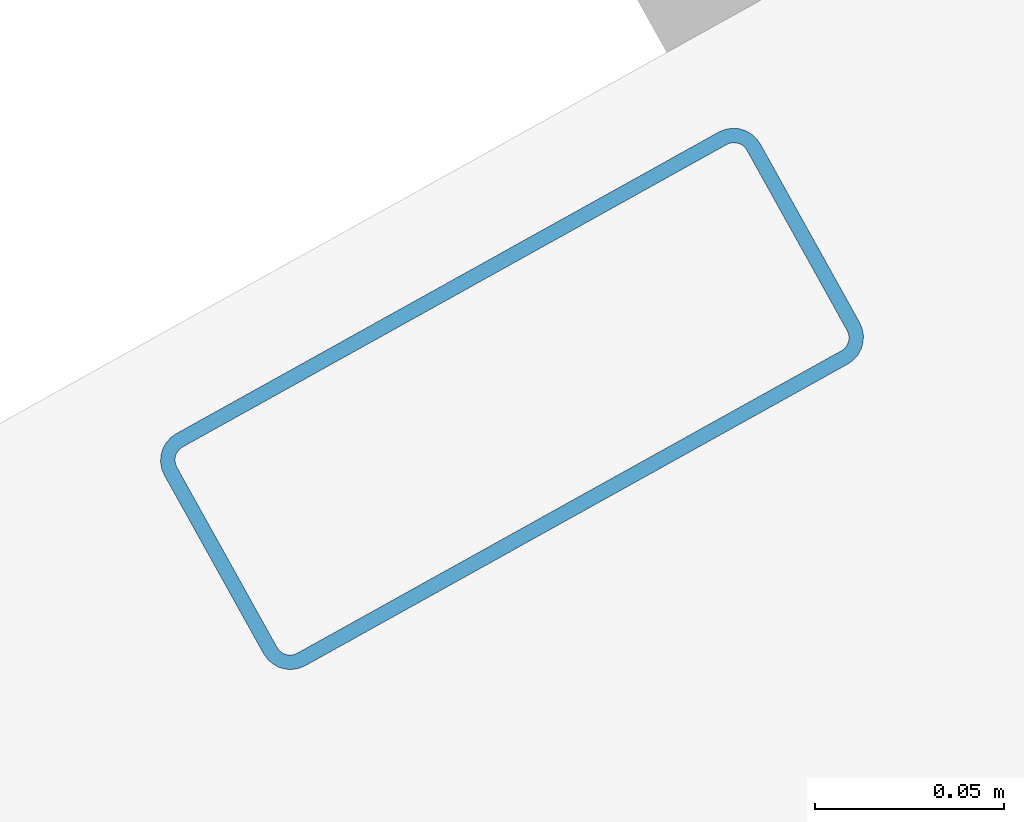
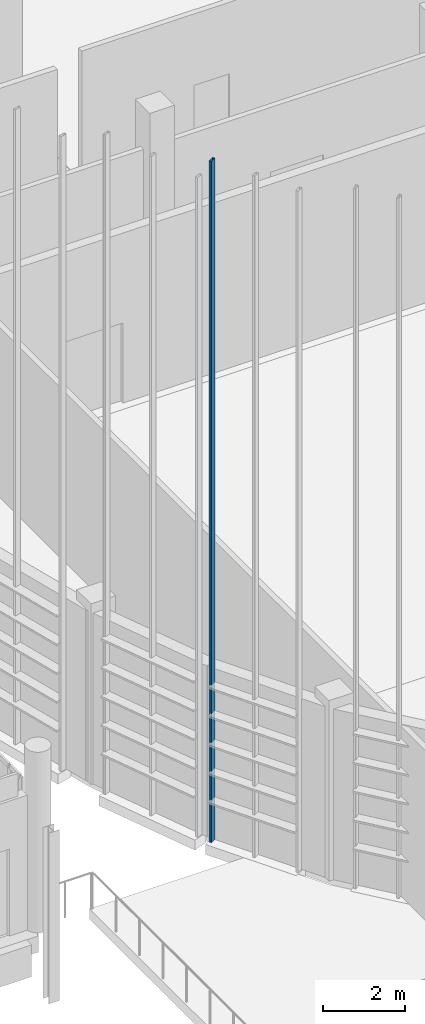
# One storey, part 165 of 372: 1 member.
"""IFC4 building model written with IfcOpenShell, lengths in metres."""

from ifc_helpers import new_model, si_unit, direction, frame, origin, origin_2d, place, context, subcontext, project, spatial, hollow_rectangle, extrude, material, material_profile, profile_set, type_object, element, save


model = new_model("IFC4")

# Units and contexts
model_context = context("Model", 3, precision=1e-05, world=origin(), true_north=direction((0.0, 1.0)))
body_context = subcontext(model_context, "Body", "Model", "MODEL_VIEW")
ifc_project = project(units=[si_unit("LENGTHUNIT", "METRE"), si_unit("AREAUNIT", "SQUARE_METRE"), si_unit("VOLUMEUNIT", "CUBIC_METRE"), si_unit("PLANEANGLEUNIT", "RADIAN"), si_unit("MASSUNIT", "GRAM", prefix="KILO")], contexts=[model_context])

# Site, building, storey
site_placement = place(None, origin())
site = spatial("IfcSite", under=ifc_project, at=site_placement, CompositionType="ELEMENT")
building_placement = place(site_placement, origin())
building = spatial("IfcBuilding", under=site, at=building_placement, Name="Kaelora Sail Theatre", CompositionType="ELEMENT")
storey_placement = place(building_placement, origin())
storey = spatial("IfcBuildingStorey", under=building, at=storey_placement, Name="L00", CompositionType="ELEMENT", Elevation=0.0)

# Member
ifc_material = material(Name="Anodised aluminium 6063-T6", Category="aluminium")
ifc_material_profile = material_profile(ifc_material, hollow_rectangle(XDim=0.070068359375, YDim=0.179931640625, WallThickness=0.00390625, InnerFilletRadius=0.00390625, OuterFilletRadius=0.008056640625, at=origin_2d()), Name="ALU-MULL 70x180x4")
ifc_profile_set = profile_set([ifc_material_profile], Name="Anodised aluminium 6063-T6")
member_type = type_object("IfcMemberType", Name="ARC-MEM-PST-160", PredefinedType="POST", material=ifc_profile_set)
member_placement = place(storey_placement, frame((79.89892578125, 39.698486328125, 0.0), z_axis=(0.0, 0.0, 1.0), x_axis=(-0.485877807712, 0.874026747859, 0.0)))
element("IfcMember", 1, at=member_placement, inside=storey, type_object=member_type, Name="Studio Theatre Sail Drum solar louvre vertical support post C15-3", PredefinedType="POST", context=body_context, shape_type="SweptSolid", body=[
    extrude(hollow_rectangle(XDim=0.070068359375, YDim=0.179931640625, WallThickness=0.00390625, InnerFilletRadius=0.00390625, OuterFilletRadius=0.008056640625, at=origin_2d()), origin(), (0.0, 0.0, 1.0), 20.368896484375),
])

save(model, "model.ifc")
